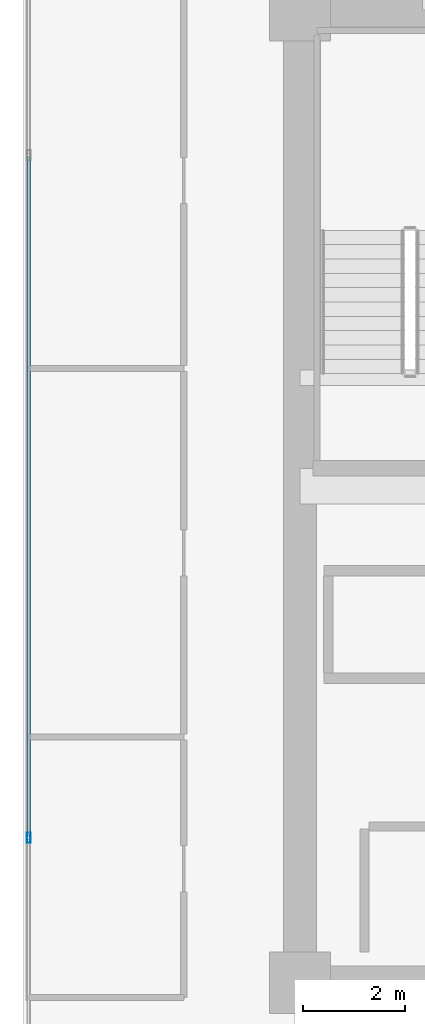
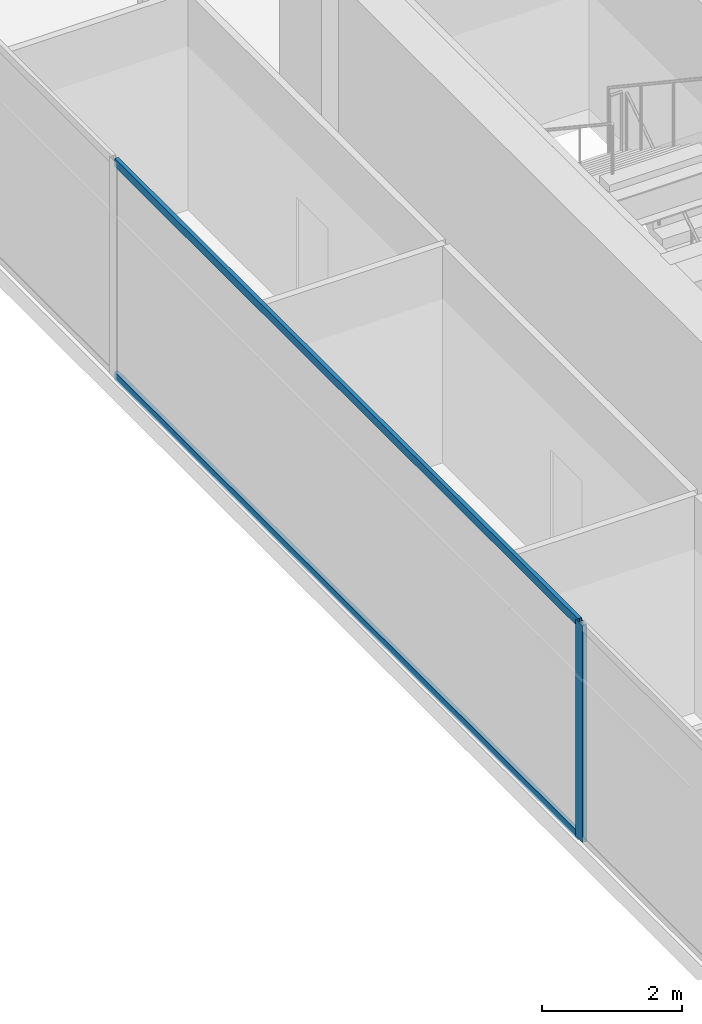
# One storey, part 6 of 33: 3 members, 1 element without a shape of its own.
"""IFC4 building model written with IfcOpenShell, lengths in metres."""

from ifc_helpers import new_model, si_unit, direction, frame, origin, origin_2d, place, context, subcontext, project, spatial, hollow_rectangle, extrude, source, transform, mapped, material, layer, layer_set, material_profile, profile_set, type_object, type_shapes, element, aggregate, save


model = new_model("IFC4")

# Units and contexts
model_context = context("Model", 3, precision=1e-05, world=origin(), true_north=direction((0.0, 1.0)))
body_context = subcontext(model_context, "Body", "Model", "MODEL_VIEW")
ifc_project = project(units=[si_unit("LENGTHUNIT", "METRE"), si_unit("AREAUNIT", "SQUARE_METRE"), si_unit("VOLUMEUNIT", "CUBIC_METRE"), si_unit("PLANEANGLEUNIT", "RADIAN"), si_unit("MASSUNIT", "GRAM", prefix="KILO")], contexts=[model_context])

# Site, building, storey
site_placement = place(None, origin())
site = spatial("IfcSite", under=ifc_project, at=site_placement, CompositionType="ELEMENT")
building_placement = place(site_placement, origin())
building = spatial("IfcBuilding", under=site, at=building_placement, Name="Haelvirn Gate Laboratories", CompositionType="ELEMENT")
storey_placement = place(building_placement, frame((0.0, 0.0, 133.800048828125)))
storey = spatial("IfcBuildingStorey", under=building, at=storey_placement, Name="L32", CompositionType="ELEMENT", Elevation=133.800048828125)

# Curtain wall, members
ifc_material_1 = material(Name="Anodised bronze unitised aluminium & triple low-E glass", Category="aluminium")
ifc_layer = layer(ifc_material_1, 0.179931640625, Name="CW-SYS-3")
ifc_layer_set = layer_set([ifc_layer], Name="Anodised bronze unitised aluminium & triple low-E glass")
curtain_wall_type = type_object("IfcCurtainWallType", Name="CW-SYS-3", PredefinedType="NOTDEFINED", material=ifc_layer_set)
curtain_wall_placement = place(storey_placement, origin())
curtain_wall = element("IfcCurtainWall", 1, at=curtain_wall_placement, inside=storey, type_object=curtain_wall_type, Name="L32 Unitised Curtain Wall CW-L32-P0-E17", PredefinedType="NOTDEFINED")
ifc_material_2 = material(Name="Extruded aluminium 6063-T6 (anodised bronze)", Category="aluminium")
ifc_material_profile_1 = material_profile(ifc_material_2, hollow_rectangle(XDim=0.06494140625, YDim=0.139892578125, WallThickness=0.00390625, at=origin_2d()), Name="CWT-140x65x4")
ifc_profile_set_1 = profile_set([ifc_material_profile_1], Name="Extruded aluminium 6063-T6 (anodised bronze)")
member_type_1 = type_object("IfcMemberType", Name="CWT-T140", PredefinedType="USERDEFINED", material=ifc_profile_set_1)
shared_shape_1 = source(origin(), body_context, "Body", "SweptSolid", [
    extrude(hollow_rectangle(XDim=0.06494140625, YDim=0.139892578125, WallThickness=0.00390625, at=origin_2d()), origin(), (0.0, 0.0, 1.0), 13.25830078125),
])
type_shapes(member_type_1, [shared_shape_1])
member_1_placement = place(storey_placement, frame((2.10009765625, 30.92919921875, 0.032470703125), z_axis=(0.0, -1.0, 0.0), x_axis=(1.0, 0.0, 0.0)))
member_1 = element("IfcMember", 2, at=member_1_placement, type_object=member_type_1, Name="CW3 transom 2.1", ObjectType="TRANSOM", PredefinedType="USERDEFINED", context=body_context, shape_type="MappedRepresentation", body=[
    mapped(shared_shape_1, transform((0.0, 0.0, 0.0), scale=1.0)),
])
member_2_placement = place(storey_placement, frame((2.10009765625, 30.92919921875, 3.757568359375), z_axis=(0.0, -1.0, 0.0), x_axis=(1.0, 0.0, 0.0)))
member_2 = element("IfcMember", 3, at=member_2_placement, type_object=member_type_1, Name="CW3 transom 2.2", ObjectType="TRANSOM", PredefinedType="USERDEFINED", context=body_context, shape_type="MappedRepresentation", body=[
    mapped(shared_shape_1, transform((0.0, 0.0, 0.0), scale=1.0)),
])
ifc_material_profile_2 = material_profile(ifc_material_2, hollow_rectangle(XDim=0.074951171875, YDim=0.199951171875, WallThickness=0.0048828125, at=origin_2d()), Name="CWM-200x75x5")
ifc_profile_set_2 = profile_set([ifc_material_profile_2], Name="Extruded aluminium 6063-T6 (anodised bronze)")
member_type_2 = type_object("IfcMemberType", Name="CWM-T200", PredefinedType="MULLION", material=ifc_profile_set_2)
shared_shape_2 = source(origin(), body_context, "Body", "SweptSolid", [
    extrude(hollow_rectangle(XDim=0.074951171875, YDim=0.199951171875, WallThickness=0.0048828125, at=origin_2d()), origin(), (0.0, 0.0, 1.0), 3.7900390625),
])
type_shapes(member_type_2, [shared_shape_2])
member_3_placement = place(storey_placement, frame((2.10009765625, 17.63330078125, 0.0), z_axis=(0.0, 0.0, 1.0), x_axis=(1.0, 0.0, 0.0)))
member_3 = element("IfcMember", 4, at=member_3_placement, type_object=member_type_2, Name="CW3 mullion 3", PredefinedType="MULLION", context=body_context, shape_type="MappedRepresentation", body=[
    mapped(shared_shape_2, transform((0.0, 0.0, 0.0), scale=1.0)),
])
aggregate(curtain_wall, [member_3, member_1, member_2])

save(model, "model.ifc")
